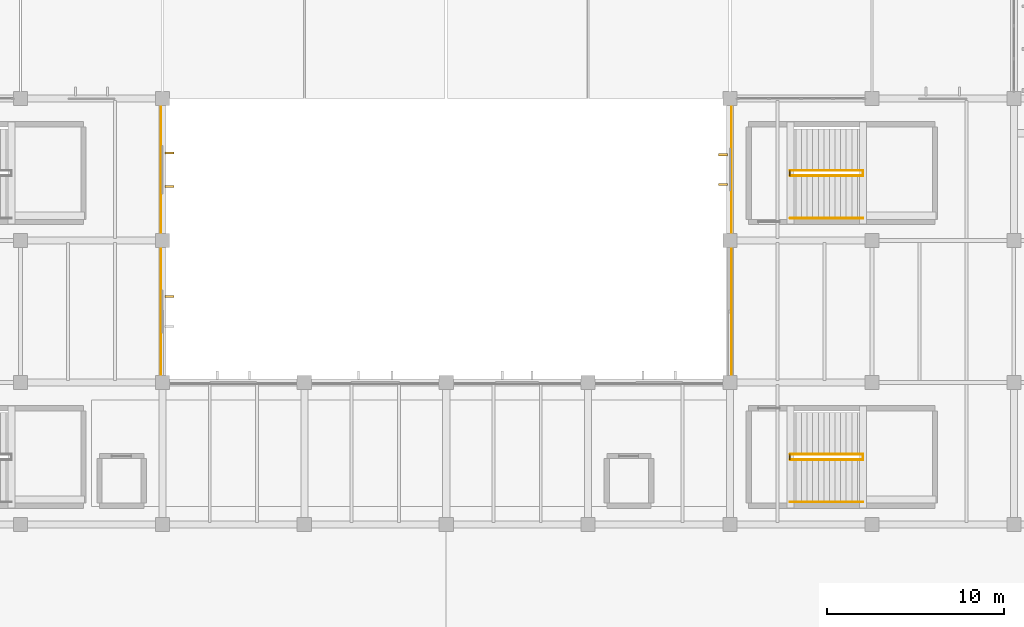
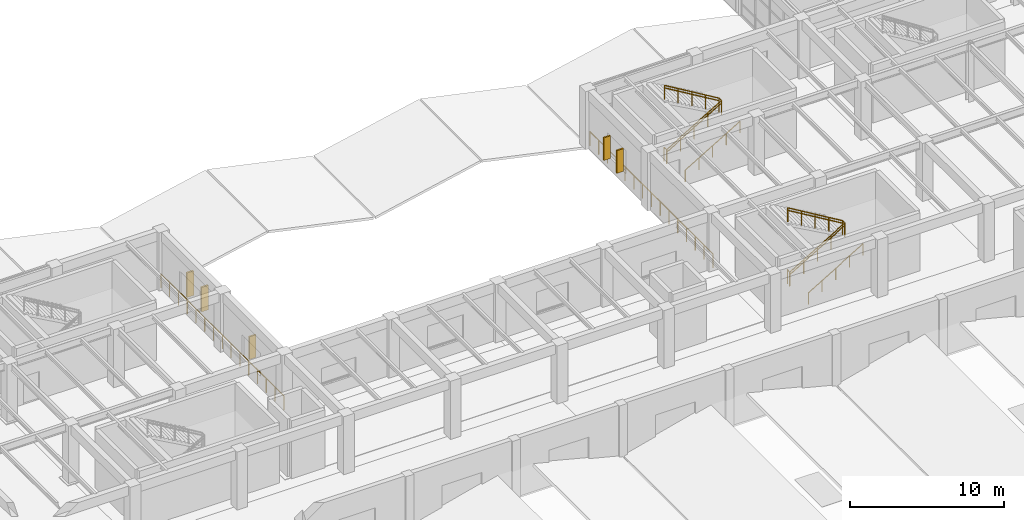
# One storey, part 55 of 60: 14 railings, 5 shading devices.
"""IFC4 building model written with IfcOpenShell, lengths in metres."""

from ifc_helpers import new_model, si_unit, direction, frame, origin, origin_2d, place, context, subcontext, project, spatial, rectangle, circle, extrude, material, type_object, element, save


model = new_model("IFC4")

# Units and contexts
model_context = context("Model", 3, precision=1e-05, world=origin(), true_north=direction((0.0, 1.0)))
body_context = subcontext(model_context, "Body", "Model", "MODEL_VIEW")
ifc_project = project(units=[si_unit("LENGTHUNIT", "METRE"), si_unit("AREAUNIT", "SQUARE_METRE"), si_unit("VOLUMEUNIT", "CUBIC_METRE"), si_unit("PLANEANGLEUNIT", "RADIAN"), si_unit("MASSUNIT", "GRAM", prefix="KILO")], contexts=[model_context])

# Site, building, storey
site_placement = place(None, origin())
site = spatial("IfcSite", under=ifc_project, at=site_placement, CompositionType="ELEMENT")
building_placement = place(site_placement, origin())
building = spatial("IfcBuilding", under=site, at=building_placement, Name="Varnela Railside Interchange", CompositionType="ELEMENT")
storey_placement = place(building_placement, frame((0.0, 0.0, 6.300048828125)))
storey = spatial("IfcBuildingStorey", under=building, at=storey_placement, Name="L01", CompositionType="ELEMENT", Elevation=6.300048828125)

# Railings
ifc_material_1 = material(Name="Glass laminated double", Category="glass")
railing_type_1 = type_object("IfcRailingType", Name="Concourse Atrium Balustrade BL-01", PredefinedType="BALUSTRADE", material=ifc_material_1)
railing_1_placement = place(storey_placement, frame((67.919921875, 61.8798828125, 0.0)))
element("IfcRailing", 1, at=railing_1_placement, inside=storey, type_object=railing_type_1, Name="Concourse Atrium West Balustrade (L01) (RL-0296)", PredefinedType="BALUSTRADE", context=body_context, shape_type="SweptSolid", body=[
    extrude(circle(Radius=0.02392578125, at=origin_2d()), frame((0.0, 0.0, 1.09619140625), z_axis=(0.0, -1.0, 0.0), x_axis=(1.0, 0.0, 0.0)), (0.0, 0.0, 1.0), 15.9599609375),
    extrude(circle(Radius=0.02099609375, at=origin_2d()), origin(), (0.0, 0.0, 1.0), 1.072021484375),
    extrude(circle(Radius=0.02099609375, at=origin_2d()), frame((0.0, -1.139892578125, 0.0)), (0.0, 0.0, 1.0), 1.072021484375),
    extrude(circle(Radius=0.02099609375, at=origin_2d()), frame((0.0, -2.280029296875, 0.0)), (0.0, 0.0, 1.0), 1.072021484375),
    extrude(circle(Radius=0.02099609375, at=origin_2d()), frame((0.0, -3.419921875, 0.0)), (0.0, 0.0, 1.0), 1.072021484375),
    extrude(circle(Radius=0.02099609375, at=origin_2d()), frame((0.0, -4.56005859375, 0.0)), (0.0, 0.0, 1.0), 1.072021484375),
    extrude(circle(Radius=0.02099609375, at=origin_2d()), frame((0.0, -5.699951171875, 0.0)), (0.0, 0.0, 1.0), 1.072021484375),
    extrude(circle(Radius=0.02099609375, at=origin_2d()), frame((0.0, -6.840087890625, 0.0)), (0.0, 0.0, 1.0), 1.072021484375),
    extrude(circle(Radius=0.02099609375, at=origin_2d()), frame((0.0, -7.97998046875, 0.0)), (0.0, 0.0, 1.0), 1.072021484375),
    extrude(circle(Radius=0.02099609375, at=origin_2d()), frame((0.0, -9.119873046875, 0.0)), (0.0, 0.0, 1.0), 1.072021484375),
    extrude(circle(Radius=0.02099609375, at=origin_2d()), frame((0.0, -10.260009765625, 0.0)), (0.0, 0.0, 1.0), 1.072021484375),
    extrude(circle(Radius=0.02099609375, at=origin_2d()), frame((0.0, -11.39990234375, 0.0)), (0.0, 0.0, 1.0), 1.072021484375),
    extrude(circle(Radius=0.02099609375, at=origin_2d()), frame((0.0, -12.5400390625, 0.0)), (0.0, 0.0, 1.0), 1.072021484375),
    extrude(circle(Radius=0.02099609375, at=origin_2d()), frame((0.0, -13.679931640625, 0.0)), (0.0, 0.0, 1.0), 1.072021484375),
    extrude(circle(Radius=0.02099609375, at=origin_2d()), frame((0.0, -14.820068359375, 0.0)), (0.0, 0.0, 1.0), 1.072021484375),
    extrude(circle(Radius=0.02099609375, at=origin_2d()), frame((0.0, -15.9599609375, 0.0)), (0.0, 0.0, 1.0), 1.072021484375),
])
railing_2_placement = place(storey_placement, frame((100.080078125, 45.919921875, 0.0)))
element("IfcRailing", 2, at=railing_2_placement, inside=storey, type_object=railing_type_1, Name="Concourse Atrium East Balustrade (L01) (RL-0294)", PredefinedType="BALUSTRADE", context=body_context, shape_type="SweptSolid", body=[
    extrude(circle(Radius=0.02392578125, at=origin_2d()), frame((0.0, 0.0, 1.09619140625), z_axis=(0.0, 1.0, 0.0), x_axis=(-1.0, 0.0, 0.0)), (0.0, 0.0, 1.0), 15.9599609375),
    extrude(circle(Radius=0.02099609375, at=origin_2d()), origin(), (0.0, 0.0, 1.0), 1.072021484375),
    extrude(circle(Radius=0.02099609375, at=origin_2d()), frame((0.0, 1.139892578125, 0.0)), (0.0, 0.0, 1.0), 1.072021484375),
    extrude(circle(Radius=0.02099609375, at=origin_2d()), frame((0.0, 2.280029296875, 0.0)), (0.0, 0.0, 1.0), 1.072021484375),
    extrude(circle(Radius=0.02099609375, at=origin_2d()), frame((0.0, 3.419921875, 0.0)), (0.0, 0.0, 1.0), 1.072021484375),
    extrude(circle(Radius=0.02099609375, at=origin_2d()), frame((0.0, 4.56005859375, 0.0)), (0.0, 0.0, 1.0), 1.072021484375),
    extrude(circle(Radius=0.02099609375, at=origin_2d()), frame((0.0, 5.699951171875, 0.0)), (0.0, 0.0, 1.0), 1.072021484375),
    extrude(circle(Radius=0.02099609375, at=origin_2d()), frame((0.0, 6.840087890625, 0.0)), (0.0, 0.0, 1.0), 1.072021484375),
    extrude(circle(Radius=0.02099609375, at=origin_2d()), frame((0.0, 7.97998046875, 0.0)), (0.0, 0.0, 1.0), 1.072021484375),
    extrude(circle(Radius=0.02099609375, at=origin_2d()), frame((0.0, 9.119873046875, 0.0)), (0.0, 0.0, 1.0), 1.072021484375),
    extrude(circle(Radius=0.02099609375, at=origin_2d()), frame((0.0, 10.260009765625, 0.0)), (0.0, 0.0, 1.0), 1.072021484375),
    extrude(circle(Radius=0.02099609375, at=origin_2d()), frame((0.0, 11.39990234375, 0.0)), (0.0, 0.0, 1.0), 1.072021484375),
    extrude(circle(Radius=0.02099609375, at=origin_2d()), frame((0.0, 12.5400390625, 0.0)), (0.0, 0.0, 1.0), 1.072021484375),
    extrude(circle(Radius=0.02099609375, at=origin_2d()), frame((0.0, 13.679931640625, 0.0)), (0.0, 0.0, 1.0), 1.072021484375),
    extrude(circle(Radius=0.02099609375, at=origin_2d()), frame((0.0, 14.820068359375, 0.0)), (0.0, 0.0, 1.0), 1.072021484375),
    extrude(circle(Radius=0.02099609375, at=origin_2d()), frame((0.0, 15.9599609375, 0.0)), (0.0, 0.0, 1.0), 1.072021484375),
])

# Shading devices
ifc_material_2 = material(Name="Concrete C40 precast", Category="concrete")
shading_device_type = type_object("IfcShadingDeviceType", Name="Paulista Vertical Brise-Soleil BS-01", PredefinedType="USERDEFINED", material=ifc_material_2)
for number, where, z_axis, x_axis, name in (
    (3, (68.405029296875, 58.945068359375, 0.9501953125), (0.0, 0.0, 1.0), (1.0, 0.0, 0.0), "Paulista Vertical Brise-Soleil BS-01 (L01)"),
    (4, (68.405029296875, 57.054931640625, 0.9501953125), (0.0, 0.0, 1.0), (1.0, 0.0, 0.0), "Paulista Vertical Brise-Soleil BS-01 (L01)"),
):
    element("IfcShadingDevice", number, at=place(storey_placement, frame(where, z_axis=z_axis, x_axis=x_axis)), inside=storey, type_object=shading_device_type, Name=name, ObjectType="FIN", PredefinedType="USERDEFINED", context=body_context, shape_type="SweptSolid", body=[
        extrude(rectangle(XDim=0.5, YDim=0.1201171875, at=origin_2d()), origin(), (0.0, 0.0, 1.0), 1.949951171875),
    ])
for number, where, z_axis, x_axis, name in (
    (5, (68.405029296875, 50.840087890625, 0.94970703125), (0.0, 0.0, 1.0), (1.0, 0.0, 0.0), "Paulista Vertical Brise-Soleil BS-01 (L01)"),
    (6, (99.594970703125, 57.159912109375, 0.94970703125), (0.0, 0.0, 1.0), (-1.0, 0.0, 0.0), "Paulista Vertical Brise-Soleil BS-01 (L01)"),
    (7, (99.594970703125, 58.840087890625, 0.94970703125), (0.0, 0.0, 1.0), (-1.0, 0.0, 0.0), "Paulista Vertical Brise-Soleil BS-01 (L01)"),
):
    element("IfcShadingDevice", number, at=place(storey_placement, frame(where, z_axis=z_axis, x_axis=x_axis)), inside=storey, type_object=shading_device_type, Name=name, ObjectType="FIN", PredefinedType="USERDEFINED", context=body_context, shape_type="SweptSolid", body=[
        extrude(rectangle(XDim=0.5, YDim=0.1201171875, at=origin_2d()), origin(), (0.0, 0.0, 1.0), 1.800048828125),
    ])

# Railings
ifc_material_3 = material(Name="Steel AR 350 (350 MPa)", Category="steel")
railing_type_2 = type_object("IfcRailingType", Name="Stair & Ramp Pitch Handrail HR-01", PredefinedType="HANDRAIL", material=ifc_material_3)
railing_3_placement = place(storey_placement, frame((103.39990234375, 41.64990234375, 0.0)))
element("IfcRailing", 8, at=railing_3_placement, inside=storey, type_object=railing_type_2, Name="Stair Handrail ST-C2 Flight 1 (RL-0299)", PredefinedType="HANDRAIL", context=body_context, shape_type="SweptSolid", body=[
    extrude(circle(Radius=0.02392578125, at=origin_2d()), frame((0.0, 0.0, 0.89599609375), z_axis=(0.858155786212, 0.0, 0.513389371327), x_axis=(0.0, 1.0, 0.0)), (0.0, 0.0, 1.0), 4.772216796875),
    extrude(circle(Radius=0.02099609375, at=origin_2d()), origin(), (0.0, 0.0, 1.0), 0.871826171875),
    extrude(circle(Radius=0.02099609375, at=origin_2d()), frame((1.02392578125, 0.0, 0.612548828125)), (0.0, 0.0, 1.0), 0.871826171875),
    extrude(circle(Radius=0.02099609375, at=origin_2d()), frame((2.047607421875, 0.0, 1.22509765625)), (0.0, 0.0, 1.0), 0.871826171875),
    extrude(circle(Radius=0.02099609375, at=origin_2d()), frame((3.0712890625, 0.0, 1.83740234375)), (0.0, 0.0, 1.0), 0.871826171875),
    extrude(circle(Radius=0.02099609375, at=origin_2d()), frame((4.09521484375, 0.0, 2.449951171875)), (0.0, 0.0, 1.0), 0.871826171875),
])
railing_4_placement = place(storey_placement, frame((107.4951171875, 41.949951171875, 2.449951171875)))
element("IfcRailing", 9, at=railing_4_placement, inside=storey, type_object=railing_type_2, Name="Stair Handrail ST-C2 Flight 2 (RL-0300)", PredefinedType="HANDRAIL", context=body_context, shape_type="SweptSolid", body=[
    extrude(circle(Radius=0.02392578125, at=origin_2d()), frame((0.0, 0.0, 0.89599609375), z_axis=(-0.858155786212, 0.0, 0.513389371327), x_axis=(0.0, -1.0, 0.0)), (0.0, 0.0, 1.0), 4.772216796875),
    extrude(circle(Radius=0.02099609375, at=origin_2d()), origin(), (0.0, 0.0, 1.0), 0.871826171875),
    extrude(circle(Radius=0.02099609375, at=origin_2d()), frame((-1.02392578125, 0.0, 0.612548828125)), (0.0, 0.0, 1.0), 0.871826171875),
    extrude(circle(Radius=0.02099609375, at=origin_2d()), frame((-2.047607421875, 0.0, 1.22509765625)), (0.0, 0.0, 1.0), 0.871826171875),
    extrude(circle(Radius=0.02099609375, at=origin_2d()), frame((-3.0712890625, 0.0, 1.83740234375)), (0.0, 0.0, 1.0), 0.871826171875),
    extrude(circle(Radius=0.02099609375, at=origin_2d()), frame((-4.09521484375, 0.0, 2.449951171875)), (0.0, 0.0, 1.0), 0.871826171875),
])
railing_5_placement = place(storey_placement, frame((103.39990234375, 57.64990234375, 0.0)))
element("IfcRailing", 10, at=railing_5_placement, inside=storey, type_object=railing_type_2, Name="Stair Handrail ST-C4 Flight 1 (RL-0303)", PredefinedType="HANDRAIL", context=body_context, shape_type="SweptSolid", body=[
    extrude(circle(Radius=0.02392578125, at=origin_2d()), frame((0.0, 0.0, 0.89599609375), z_axis=(0.858155786212, 0.0, 0.513389371327), x_axis=(0.0, 1.0, 0.0)), (0.0, 0.0, 1.0), 4.772216796875),
    extrude(circle(Radius=0.02099609375, at=origin_2d()), origin(), (0.0, 0.0, 1.0), 0.871826171875),
    extrude(circle(Radius=0.02099609375, at=origin_2d()), frame((1.02392578125, 0.0, 0.612548828125)), (0.0, 0.0, 1.0), 0.871826171875),
    extrude(circle(Radius=0.02099609375, at=origin_2d()), frame((2.047607421875, 0.0, 1.22509765625)), (0.0, 0.0, 1.0), 0.871826171875),
    extrude(circle(Radius=0.02099609375, at=origin_2d()), frame((3.0712890625, 0.0, 1.83740234375)), (0.0, 0.0, 1.0), 0.871826171875),
    extrude(circle(Radius=0.02099609375, at=origin_2d()), frame((4.09521484375, 0.0, 2.449951171875)), (0.0, 0.0, 1.0), 0.871826171875),
])
railing_6_placement = place(storey_placement, frame((107.4951171875, 57.949951171875, 2.449951171875)))
element("IfcRailing", 11, at=railing_6_placement, inside=storey, type_object=railing_type_2, Name="Stair Handrail ST-C4 Flight 2 (RL-0304)", PredefinedType="HANDRAIL", context=body_context, shape_type="SweptSolid", body=[
    extrude(circle(Radius=0.02392578125, at=origin_2d()), frame((0.0, 0.0, 0.89599609375), z_axis=(-0.858155786212, 0.0, 0.513389371327), x_axis=(0.0, -1.0, 0.0)), (0.0, 0.0, 1.0), 4.772216796875),
    extrude(circle(Radius=0.02099609375, at=origin_2d()), origin(), (0.0, 0.0, 1.0), 0.871826171875),
    extrude(circle(Radius=0.02099609375, at=origin_2d()), frame((-1.02392578125, 0.0, 0.612548828125)), (0.0, 0.0, 1.0), 0.871826171875),
    extrude(circle(Radius=0.02099609375, at=origin_2d()), frame((-2.047607421875, 0.0, 1.22509765625)), (0.0, 0.0, 1.0), 0.871826171875),
    extrude(circle(Radius=0.02099609375, at=origin_2d()), frame((-3.0712890625, 0.0, 1.83740234375)), (0.0, 0.0, 1.0), 0.871826171875),
    extrude(circle(Radius=0.02099609375, at=origin_2d()), frame((-4.09521484375, 0.0, 2.449951171875)), (0.0, 0.0, 1.0), 0.871826171875),
])
railing_type_3 = type_object("IfcRailingType", Name="Stair Well & Landing Guard GR-02", PredefinedType="GUARDRAIL", material=ifc_material_3)
railing_7_placement = place(storey_placement, frame((103.3701171875, 41.64990234375, 0.0)))
element("IfcRailing", 12, at=railing_7_placement, inside=storey, type_object=railing_type_3, Name="Stair Well Slot Guard ST-C2 on L01 (RL-0264)", PredefinedType="GUARDRAIL", context=body_context, shape_type="SweptSolid", body=[
    extrude(circle(Radius=0.02392578125, at=origin_2d()), frame((0.0, 0.0, 1.09619140625), z_axis=(0.0, 1.0, 0.0), x_axis=(-1.0, 0.0, 0.0)), (0.0, 0.0, 1.0), 0.300048828125),
    extrude(circle(Radius=0.02099609375, at=origin_2d()), origin(), (0.0, 0.0, 1.0), 1.072021484375),
    extrude(circle(Radius=0.02099609375, at=origin_2d()), frame((0.0, 0.300048828125, 0.0)), (0.0, 0.0, 1.0), 1.072021484375),
])
railing_8_placement = place(storey_placement, frame((103.39990234375, 41.64990234375, 0.0)))
element("IfcRailing", 13, at=railing_8_placement, inside=storey, type_object=railing_type_3, Name="Stair Guard ST-C2 Half-Landing (RL-0262)", PredefinedType="GUARDRAIL", context=body_context, shape_type="SweptSolid", body=[
    extrude(circle(Radius=0.02392578125, at=origin_2d()), frame((0.0, 0.0, 1.09619140625), z_axis=(0.858155786212, 0.0, 0.513389371327), x_axis=(0.0, 1.0, 0.0)), (0.0, 0.0, 1.0), 4.772216796875),
    extrude(circle(Radius=0.02392578125, at=origin_2d()), frame((4.09521484375, 0.0, 3.5458984375), z_axis=(0.0, 1.0, 0.0), x_axis=(-1.0, 0.0, 0.0)), (0.0, 0.0, 1.0), 0.300048828125),
    extrude(circle(Radius=0.02099609375, at=origin_2d()), origin(), (0.0, 0.0, 1.0), 1.072021484375),
    extrude(circle(Radius=0.02099609375, at=origin_2d()), frame((1.02392578125, 0.0, 0.612548828125)), (0.0, 0.0, 1.0), 1.072021484375),
    extrude(circle(Radius=0.02099609375, at=origin_2d()), frame((2.047607421875, 0.0, 1.22509765625)), (0.0, 0.0, 1.0), 1.072021484375),
    extrude(circle(Radius=0.02099609375, at=origin_2d()), frame((3.0712890625, 0.0, 1.83740234375)), (0.0, 0.0, 1.0), 1.072021484375),
    extrude(circle(Radius=0.02099609375, at=origin_2d()), frame((4.09521484375, 0.0, 2.449951171875)), (0.0, 0.0, 1.0), 1.072021484375),
    extrude(circle(Radius=0.02099609375, at=origin_2d()), frame((4.09521484375, 0.300048828125, 2.449951171875)), (0.0, 0.0, 1.0), 1.072021484375),
])
railing_9_placement = place(storey_placement, frame((107.4951171875, 41.949951171875, 2.449951171875)))
element("IfcRailing", 14, at=railing_9_placement, inside=storey, type_object=railing_type_3, Name="Stair Guard ST-C2 Upper Flight (RL-0263)", PredefinedType="GUARDRAIL", context=body_context, shape_type="SweptSolid", body=[
    extrude(circle(Radius=0.02392578125, at=origin_2d()), frame((0.0, 0.0, 1.09619140625), z_axis=(-0.858155786212, 0.0, 0.513389371327), x_axis=(0.0, -1.0, 0.0)), (0.0, 0.0, 1.0), 4.772216796875),
    extrude(circle(Radius=0.02099609375, at=origin_2d()), origin(), (0.0, 0.0, 1.0), 1.072021484375),
    extrude(circle(Radius=0.02099609375, at=origin_2d()), frame((-1.02392578125, 0.0, 0.612548828125)), (0.0, 0.0, 1.0), 1.072021484375),
    extrude(circle(Radius=0.02099609375, at=origin_2d()), frame((-2.047607421875, 0.0, 1.22509765625)), (0.0, 0.0, 1.0), 1.072021484375),
    extrude(circle(Radius=0.02099609375, at=origin_2d()), frame((-3.0712890625, 0.0, 1.83740234375)), (0.0, 0.0, 1.0), 1.072021484375),
    extrude(circle(Radius=0.02099609375, at=origin_2d()), frame((-4.09521484375, 0.0, 2.449951171875)), (0.0, 0.0, 1.0), 1.072021484375),
])
railing_10_placement = place(storey_placement, frame((103.3701171875, 57.64990234375, 0.0)))
element("IfcRailing", 15, at=railing_10_placement, inside=storey, type_object=railing_type_3, Name="Stair Well Slot Guard ST-C4 on L01 (RL-0270)", PredefinedType="GUARDRAIL", context=body_context, shape_type="SweptSolid", body=[
    extrude(circle(Radius=0.02392578125, at=origin_2d()), frame((0.0, 0.0, 1.09619140625), z_axis=(0.0, 1.0, 0.0), x_axis=(-1.0, 0.0, 0.0)), (0.0, 0.0, 1.0), 0.300048828125),
    extrude(circle(Radius=0.02099609375, at=origin_2d()), origin(), (0.0, 0.0, 1.0), 1.072021484375),
    extrude(circle(Radius=0.02099609375, at=origin_2d()), frame((0.0, 0.300048828125, 0.0)), (0.0, 0.0, 1.0), 1.072021484375),
])
railing_11_placement = place(storey_placement, frame((103.39990234375, 57.64990234375, 0.0)))
element("IfcRailing", 16, at=railing_11_placement, inside=storey, type_object=railing_type_3, Name="Stair Guard ST-C4 Half-Landing (RL-0268)", PredefinedType="GUARDRAIL", context=body_context, shape_type="SweptSolid", body=[
    extrude(circle(Radius=0.02392578125, at=origin_2d()), frame((0.0, 0.0, 1.09619140625), z_axis=(0.858155786212, 0.0, 0.513389371327), x_axis=(0.0, 1.0, 0.0)), (0.0, 0.0, 1.0), 4.772216796875),
    extrude(circle(Radius=0.02392578125, at=origin_2d()), frame((4.09521484375, 0.0, 3.5458984375), z_axis=(0.0, 1.0, 0.0), x_axis=(-1.0, 0.0, 0.0)), (0.0, 0.0, 1.0), 0.300048828125),
    extrude(circle(Radius=0.02099609375, at=origin_2d()), origin(), (0.0, 0.0, 1.0), 1.072021484375),
    extrude(circle(Radius=0.02099609375, at=origin_2d()), frame((1.02392578125, 0.0, 0.612548828125)), (0.0, 0.0, 1.0), 1.072021484375),
    extrude(circle(Radius=0.02099609375, at=origin_2d()), frame((2.047607421875, 0.0, 1.22509765625)), (0.0, 0.0, 1.0), 1.072021484375),
    extrude(circle(Radius=0.02099609375, at=origin_2d()), frame((3.0712890625, 0.0, 1.83740234375)), (0.0, 0.0, 1.0), 1.072021484375),
    extrude(circle(Radius=0.02099609375, at=origin_2d()), frame((4.09521484375, 0.0, 2.449951171875)), (0.0, 0.0, 1.0), 1.072021484375),
    extrude(circle(Radius=0.02099609375, at=origin_2d()), frame((4.09521484375, 0.300048828125, 2.449951171875)), (0.0, 0.0, 1.0), 1.072021484375),
])
railing_12_placement = place(storey_placement, frame((107.4951171875, 57.949951171875, 2.449951171875)))
element("IfcRailing", 17, at=railing_12_placement, inside=storey, type_object=railing_type_3, Name="Stair Guard ST-C4 Upper Flight (RL-0269)", PredefinedType="GUARDRAIL", context=body_context, shape_type="SweptSolid", body=[
    extrude(circle(Radius=0.02392578125, at=origin_2d()), frame((0.0, 0.0, 1.09619140625), z_axis=(-0.858155786212, 0.0, 0.513389371327), x_axis=(0.0, -1.0, 0.0)), (0.0, 0.0, 1.0), 4.772216796875),
    extrude(circle(Radius=0.02099609375, at=origin_2d()), origin(), (0.0, 0.0, 1.0), 1.072021484375),
    extrude(circle(Radius=0.02099609375, at=origin_2d()), frame((-1.02392578125, 0.0, 0.612548828125)), (0.0, 0.0, 1.0), 1.072021484375),
    extrude(circle(Radius=0.02099609375, at=origin_2d()), frame((-2.047607421875, 0.0, 1.22509765625)), (0.0, 0.0, 1.0), 1.072021484375),
    extrude(circle(Radius=0.02099609375, at=origin_2d()), frame((-3.0712890625, 0.0, 1.83740234375)), (0.0, 0.0, 1.0), 1.072021484375),
    extrude(circle(Radius=0.02099609375, at=origin_2d()), frame((-4.09521484375, 0.0, 2.449951171875)), (0.0, 0.0, 1.0), 1.072021484375),
])
railing_type_4 = type_object("IfcRailingType", Name="Wall-Mounted Stair Handrail HR-02", PredefinedType="HANDRAIL", material=ifc_material_3)
for number, where, name in (
    (18, (103.39990234375, 39.260009765625, 0.0), "Wall Handrail ST-C2 Flight 1 (RL-0320)"),
    (19, (103.39990234375, 55.260009765625, 0.0), "Wall Handrail ST-C4 Flight 1 (RL-0322)"),
):
    element("IfcRailing", number, at=place(storey_placement, frame(where)), inside=storey, type_object=railing_type_4, Name=name, PredefinedType="HANDRAIL", context=body_context, shape_type="SweptSolid", body=[
        extrude(circle(Radius=0.02392578125, at=origin_2d()), frame((0.0, 0.0, 0.89599609375), z_axis=(0.858155786212, 0.0, 0.513389371327), x_axis=(0.0, 1.0, 0.0)), (0.0, 0.0, 1.0), 4.772216796875),
        extrude(circle(Radius=0.02099609375, at=origin_2d()), origin(), (0.0, 0.0, 1.0), 0.871826171875),
        extrude(circle(Radius=0.02099609375, at=origin_2d()), frame((1.02392578125, 0.0, 0.612548828125)), (0.0, 0.0, 1.0), 0.871826171875),
        extrude(circle(Radius=0.02099609375, at=origin_2d()), frame((2.047607421875, 0.0, 1.22509765625)), (0.0, 0.0, 1.0), 0.871826171875),
        extrude(circle(Radius=0.02099609375, at=origin_2d()), frame((3.0712890625, 0.0, 1.83740234375)), (0.0, 0.0, 1.0), 0.871826171875),
        extrude(circle(Radius=0.02099609375, at=origin_2d()), frame((4.09521484375, 0.0, 2.449951171875)), (0.0, 0.0, 1.0), 0.871826171875),
    ])

save(model, "model.ifc")
